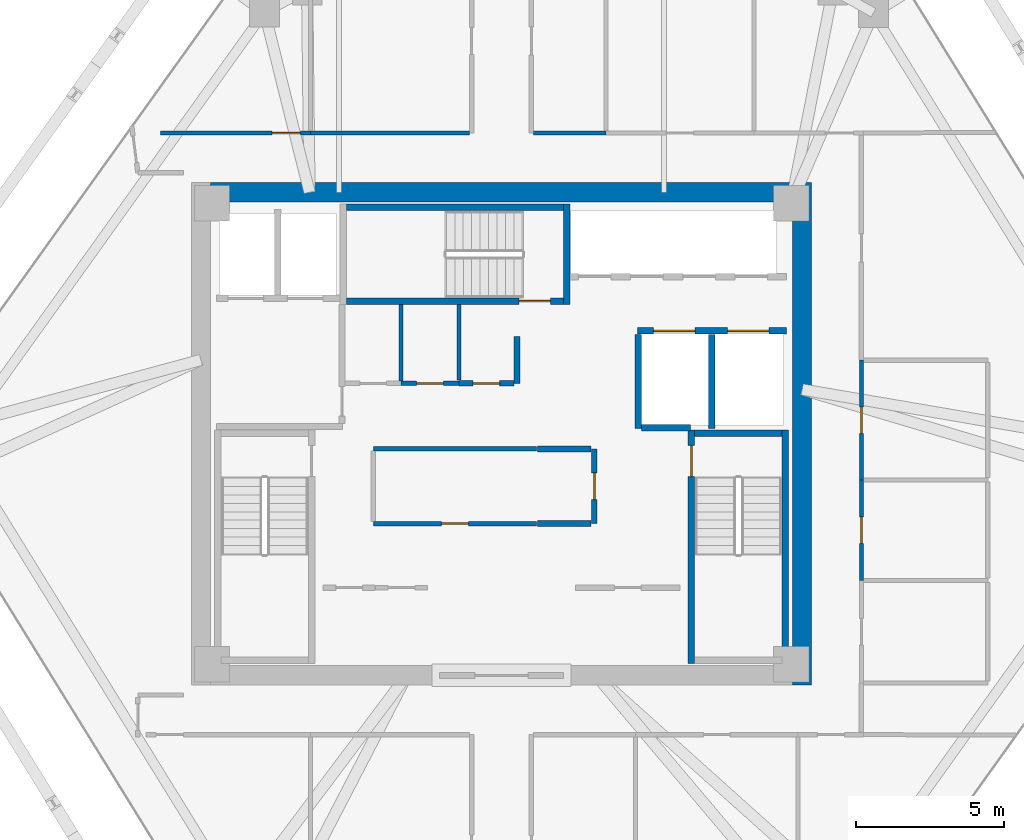
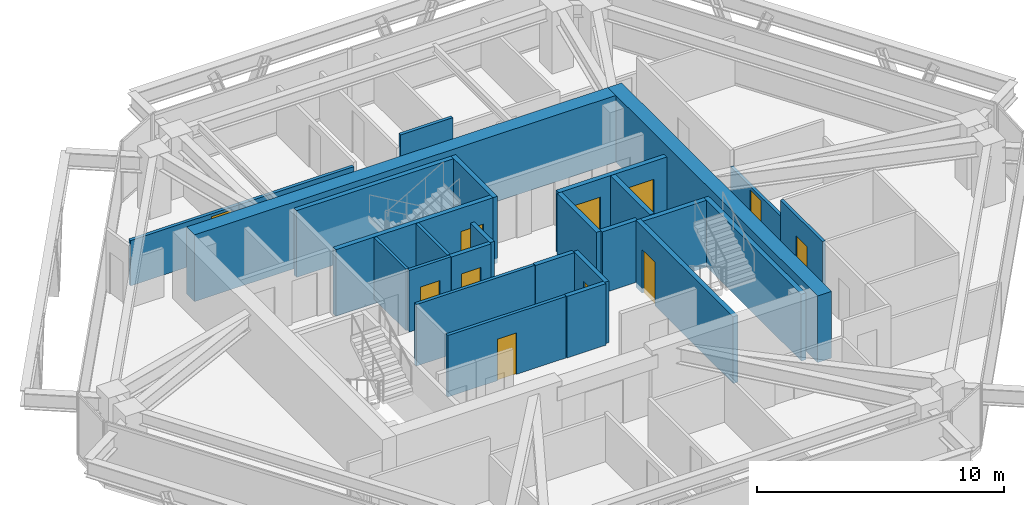
# One storey, part 9 of 11: 27 walls, 11 doors, 11 openings.
"""IFC4 building model written with IfcOpenShell, lengths in metres."""

from ifc_helpers import new_model, si_unit, direction, frame, frame_2d, origin, place, context, subcontext, project, spatial, rectangle, extrude, source, transform, mapped, material, layer, layer_set, type_object, type_shapes, element, fill, save


model = new_model("IFC4")

# Units and contexts
model_context = context("Model", 3, precision=1e-05, world=origin(), true_north=direction((0.0, 1.0)))
body_context = subcontext(model_context, "Body", "Model", "MODEL_VIEW")
ifc_project = project(units=[si_unit("LENGTHUNIT", "METRE"), si_unit("AREAUNIT", "SQUARE_METRE"), si_unit("VOLUMEUNIT", "CUBIC_METRE"), si_unit("PLANEANGLEUNIT", "RADIAN"), si_unit("MASSUNIT", "GRAM", prefix="KILO")], contexts=[model_context])

# Site, building, storey
site_placement = place(None, origin())
site = spatial("IfcSite", under=ifc_project, at=site_placement, CompositionType="ELEMENT")
building_placement = place(site_placement, origin())
building = spatial("IfcBuilding", under=site, at=building_placement, Name="Durnholm Broadcast Tower", CompositionType="ELEMENT")
storey_placement = place(building_placement, frame((0.0, 0.0, 177.10009765625)))
storey = spatial("IfcBuildingStorey", under=building, at=storey_placement, Name="L48", CompositionType="ELEMENT", Elevation=177.10009765625)

# Walls
ifc_material_1 = material(Name="Concrete C70/85", Category="concrete")
ifc_layer_1 = layer(ifc_material_1, 0.64990234375)
ifc_layer_set_1 = layer_set([ifc_layer_1], Name="Concrete C70/85")
wall_type_1 = type_object("IfcWallType", Name="WALL-CW-650", PredefinedType="SHEAR", material=ifc_layer_set_1)
wall_1_placement = place(storey_placement, frame((10.175048828125, -8.5, 0.0), z_axis=(0.0, 0.0, 1.0), x_axis=(0.0, 1.0, 0.0)))
element("IfcWall", 1, at=wall_1_placement, inside=storey, type_object=wall_type_1, Name="L48 central core shear wall CW-EAST", PredefinedType="SHEAR", context=body_context, shape_type="SweptSolid", body=[
    extrude(rectangle(XDim=17.0, YDim=0.64990234375, at=frame_2d((8.5, 0.0))), origin(), (0.0, 0.0, 1.0), 3.2998046875),
])
wall_2_placement = place(storey_placement, frame((-9.85009765625, 8.175048828125, 0.0), z_axis=(0.0, 0.0, 1.0), x_axis=(1.0, 0.0, 0.0)))
element("IfcWall", 2, at=wall_2_placement, inside=storey, type_object=wall_type_1, Name="L48 central core shear wall CW-N", PredefinedType="SHEAR", context=body_context, shape_type="SweptSolid", body=[
    extrude(rectangle(XDim=19.7001953125, YDim=0.64990234375, at=frame_2d((9.85009765625, 0.0))), origin(), (0.0, 0.0, 1.0), 3.2998046875),
])

# Wall, opening, door
ifc_material_2 = material(Name="Fire-Rated Gypsum Shaftwall", Category="concrete")
ifc_layer_2 = layer(ifc_material_2, 0.199951171875)
ifc_layer_set_2 = layer_set([ifc_layer_2], Name="Fire-Rated Gypsum Shaftwall")
wall_type_2 = type_object("IfcWallType", Name="WALL-LOB-200", PredefinedType="SOLIDWALL", material=ifc_layer_set_2)
wall_3_placement = place(storey_placement, frame((3.139892578125, -0.510009765625, 0.0), z_axis=(0.0, 0.0, 1.0), x_axis=(0.0, -1.0, 0.0)))
wall_3 = element("IfcWall", 3, at=wall_3_placement, inside=storey, type_object=wall_type_2, Name="L48 Core IT Telecom Room corridor partition", PredefinedType="SOLIDWALL", context=body_context, shape_type="SweptSolid", body=[
    extrude(rectangle(XDim=2.530029296875, YDim=0.199951171875, at=frame_2d((1.26513671875, 0.0))), origin(), (0.0, 0.0, 1.0), 3.044921875),
])
opening_1_placement = place(wall_3_placement, frame((0.81494140625, 0.0, 0.0)))
opening_1 = element("IfcOpeningElement", 4, at=opening_1_placement, cuts=wall_3, Name="Opening DC-60L", PredefinedType="OPENING", context=body_context, shape_type="SweptSolid", body=[
    extrude(rectangle(XDim=0.89990234375, YDim=2.050048828125, at=frame_2d((0.449951171875, 1.02490234375))), frame((0.0, 0.10986328125, 0.0), z_axis=(0.0, -1.0, 0.0), x_axis=(1.0, 0.0, 0.0)), (0.0, 0.0, 1.0), 0.219970703125),
])
ifc_material_3 = material(Name="Fire-Rated Core Service Door", Category="steel")
ifc_layer_3 = layer(ifc_material_3, 0.050048828125)
ifc_layer_set_3 = layer_set([ifc_layer_3], Name="Fire-Rated Core Service Door")
door_type_1 = type_object("IfcDoorType", Name="DOOR-CORE-FD60-L", OperationType="NOTDEFINED", PredefinedType="DOOR", material=ifc_layer_set_3)
shared_shape_1 = source(origin(), body_context, "Body", "SweptSolid", [
    extrude(rectangle(XDim=0.89990234375, YDim=2.050048828125, at=frame_2d((0.449951171875, 1.02490234375))), frame((0.0, 0.02490234375, 0.0), z_axis=(0.0, -1.0, 0.0), x_axis=(1.0, 0.0, 0.0)), (0.0, 0.0, 1.0), 0.050048828125),
])
type_shapes(door_type_1, [shared_shape_1])
door_1_placement = place(opening_1_placement, origin())
door_1 = element("IfcDoor", 5, at=door_1_placement, inside=storey, type_object=door_type_1, Name="L48 Core IT Telecom Room entrance door", OperationType="SINGLE_SWING_LEFT", OverallHeight=2.050048828125, OverallWidth=0.89990234375, PredefinedType="DOOR", context=body_context, shape_type="MappedRepresentation", body=[
    mapped(shared_shape_1, transform((0.0, 0.0, 0.0), x_axis=(1.0, 0.0, 0.0), y_axis=(0.0, 1.0, 0.0), z_axis=(0.0, 0.0, 1.0), scale=1.0)),
])
fill(opening_1, door_1)

# Walls
for number, where, z_axis, x_axis, name in (
    (6, (3.035888671875, -3.0400390625, 0.0), (0.0, 0.0, 1.0), (-1.0, 0.0, 0.0), "L48 Core IT Telecom Room corridor partition"),
    (7, (1.2099609375, -0.510009765625, 0.0), (0.0, 0.0, 1.0), (1.0, 0.0, 0.0), "L48 Core IT Telecom Room corridor partition"),
):
    element("IfcWall", number, at=place(storey_placement, frame(where, z_axis=z_axis, x_axis=x_axis)), inside=storey, type_object=wall_type_2, Name=name, PredefinedType="SOLIDWALL", context=body_context, shape_type="SweptSolid", body=[
        extrude(rectangle(XDim=1.825927734375, YDim=0.199951171875, at=frame_2d((0.9130859375, 0.0))), origin(), (0.0, 0.0, 1.0), 3.044921875),
    ])
wall_4_placement = place(storey_placement, frame((0.52001953125, 3.300048828125, 0.0), z_axis=(0.0, 0.0, 1.0), x_axis=(0.0, -1.0, 0.0)))
element("IfcWall", 8, at=wall_4_placement, inside=storey, type_object=wall_type_2, Name="L48 Core Telecom Patch Room corridor partition", PredefinedType="SOLIDWALL", context=body_context, shape_type="SweptSolid", body=[
    extrude(rectangle(XDim=1.590087890625, YDim=0.199951171875, at=frame_2d((0.794921875, 0.0))), origin(), (0.0, 0.0, 1.0), 3.044921875),
])

# Wall, opening, door
wall_5_placement = place(storey_placement, frame((0.416015625, 1.7099609375, 0.0), z_axis=(0.0, 0.0, 1.0), x_axis=(-1.0, 0.0, 0.0)))
wall_5 = element("IfcWall", 9, at=wall_5_placement, inside=storey, type_object=wall_type_2, Name="L48 Core Telecom Patch Room corridor partition", PredefinedType="SOLIDWALL", context=body_context, shape_type="SweptSolid", body=[
    extrude(rectangle(XDim=1.85595703125, YDim=0.199951171875, at=frame_2d((0.927978515625, 0.0))), origin(), (0.0, 0.0, 1.0), 3.044921875),
])
opening_2_placement = place(wall_5_placement, frame((0.47802734375, 0.0, 0.0)))
opening_2 = element("IfcOpeningElement", 10, at=opening_2_placement, cuts=wall_5, Name="Opening DC-60R", PredefinedType="OPENING", context=body_context, shape_type="SweptSolid", body=[
    extrude(rectangle(XDim=0.89990234375, YDim=2.050048828125, at=frame_2d((0.449951171875, 1.02490234375))), frame((0.0, 0.10986328125, 0.0), z_axis=(0.0, -1.0, 0.0), x_axis=(1.0, 0.0, 0.0)), (0.0, 0.0, 1.0), 0.219970703125),
])
ifc_layer_4 = layer(ifc_material_3, 0.050048828125)
ifc_layer_set_4 = layer_set([ifc_layer_4], Name="Fire-Rated Core Service Door")
door_type_2 = type_object("IfcDoorType", Name="DOOR-CORE-FD60-R", OperationType="NOTDEFINED", PredefinedType="DOOR", material=ifc_layer_set_4)
shared_shape_2 = source(origin(), body_context, "Body", "SweptSolid", [
    extrude(rectangle(XDim=0.89990234375, YDim=2.050048828125, at=frame_2d((0.449951171875, 1.02490234375))), frame((0.0, 0.02490234375, 0.0), z_axis=(0.0, -1.0, 0.0), x_axis=(1.0, 0.0, 0.0)), (0.0, 0.0, 1.0), 0.050048828125),
])
type_shapes(door_type_2, [shared_shape_2])
door_2_placement = place(opening_2_placement, origin())
door_2 = element("IfcDoor", 11, at=door_2_placement, inside=storey, type_object=door_type_2, Name="L48 Core Telecom Patch Room entrance door", OperationType="SINGLE_SWING_RIGHT", OverallHeight=2.050048828125, OverallWidth=0.89990234375, PredefinedType="DOOR", context=body_context, shape_type="MappedRepresentation", body=[
    mapped(shared_shape_2, transform((0.0, 0.0, 0.0), x_axis=(1.0, 0.0, 0.0), y_axis=(0.0, 1.0, 0.0), z_axis=(0.0, 0.0, 1.0), scale=1.0)),
])
fill(opening_2, door_2)

# Walls
ifc_material_4 = material(Name="Gypsum Metal Stud Partition", Category="concrete")
ifc_layer_5 = layer(ifc_material_4, 0.135009765625)
ifc_layer_set_5 = layer_set([ifc_layer_5], Name="Gypsum Metal Stud Partition")
wall_type_3 = type_object("IfcWallType", Name="WALL-PART-135", PredefinedType="PARTITIONING", material=ifc_layer_set_5)
wall_6_placement = place(storey_placement, frame((-3.39990234375, 4.375, 0.0), z_axis=(0.0, 0.0, 1.0), x_axis=(0.0, -1.0, 0.0)))
element("IfcWall", 12, at=wall_6_placement, inside=storey, type_object=wall_type_3, Name="L48 room dividing partition 6.7", PredefinedType="PARTITIONING", context=body_context, shape_type="SweptSolid", body=[
    extrude(rectangle(XDim=2.5859375, YDim=0.135009765625, at=frame_2d((1.29296875, 0.0))), origin(), (0.0, 0.0, 1.0), 3.044921875),
])
wall_7_placement = place(storey_placement, frame((-1.43994140625, 4.375, 0.0), z_axis=(0.0, 0.0, 1.0), x_axis=(0.0, -1.0, 0.0)))
element("IfcWall", 13, at=wall_7_placement, inside=storey, type_object=wall_type_3, Name="L48 room dividing partition 7.8", PredefinedType="PARTITIONING", context=body_context, shape_type="SweptSolid", body=[
    extrude(rectangle(XDim=2.56103515625, YDim=0.135009765625, at=frame_2d((1.280517578125, 0.0))), origin(), (0.0, 0.0, 1.0), 3.044921875),
])

# Wall, opening, door
ifc_material_5 = material(Name="Acoustic Gypsum Stud Partition", Category="concrete")
ifc_layer_6 = layer(ifc_material_5, 0.14990234375)
ifc_layer_set_6 = layer_set([ifc_layer_6], Name="Acoustic Gypsum Stud Partition")
wall_type_4 = type_object("IfcWallType", Name="WALL-PART-150", PredefinedType="PARTITIONING", material=ifc_layer_set_6)
wall_8_placement = place(storey_placement, frame((1.18994140625, -3.0400390625, 0.0), z_axis=(0.0, 0.0, 1.0), x_axis=(-1.0, 0.0, 0.0)))
wall_8 = element("IfcWall", 14, at=wall_8_placement, inside=storey, type_object=wall_type_4, Name="L48 Broadcast Equipment Store corridor partition", PredefinedType="PARTITIONING", context=body_context, shape_type="SweptSolid", body=[
    extrude(rectangle(XDim=5.530029296875, YDim=0.14990234375, at=frame_2d((2.76513671875, 0.0))), origin(), (0.0, 0.0, 1.0), 3.044921875),
])
opening_3_placement = place(wall_8_placement, frame((2.31494140625, 0.0, 0.0)))
opening_3 = element("IfcOpeningElement", 15, at=opening_3_placement, cuts=wall_8, Name="Opening DC-60R", PredefinedType="OPENING", context=body_context, shape_type="SweptSolid", body=[
    extrude(rectangle(XDim=0.89990234375, YDim=2.050048828125, at=frame_2d((0.449951171875, 1.02490234375))), frame((0.0, 0.0849609375, 0.0), z_axis=(0.0, -1.0, 0.0), x_axis=(1.0, 0.0, 0.0)), (0.0, 0.0, 1.0), 0.169921875),
])
door_3_placement = place(opening_3_placement, origin())
door_3 = element("IfcDoor", 16, at=door_3_placement, inside=storey, type_object=door_type_2, Name="L48 Broadcast Equipment Store entrance door", OperationType="SINGLE_SWING_RIGHT", OverallHeight=2.050048828125, OverallWidth=0.89990234375, PredefinedType="DOOR", context=body_context, shape_type="MappedRepresentation", body=[
    mapped(shared_shape_2, transform((0.0, 0.0, 0.0), x_axis=(1.0, 0.0, 0.0), y_axis=(0.0, 1.0, 0.0), z_axis=(0.0, 0.0, 1.0), scale=1.0)),
])
fill(opening_3, door_3)

# Wall
wall_9_placement = place(storey_placement, frame((-4.340087890625, -0.510009765625, 0.0), z_axis=(0.0, 0.0, 1.0), x_axis=(1.0, 0.0, 0.0)))
element("IfcWall", 17, at=wall_9_placement, inside=storey, type_object=wall_type_4, Name="L48 Broadcast Equipment Store corridor partition", PredefinedType="PARTITIONING", context=body_context, shape_type="SweptSolid", body=[
    extrude(rectangle(XDim=5.530029296875, YDim=0.14990234375, at=frame_2d((2.76513671875, 0.0))), origin(), (0.0, 0.0, 1.0), 3.044921875),
])

# Wall, opening, door
wall_10_placement = place(storey_placement, frame((-1.43994140625, 1.7099609375, 0.0), z_axis=(0.0, 0.0, 1.0), x_axis=(-1.0, 0.0, 0.0)))
wall_10 = element("IfcWall", 18, at=wall_10_placement, inside=storey, type_object=wall_type_4, Name="L48 Core Janitor Supply Closet corridor partition", PredefinedType="PARTITIONING", context=body_context, shape_type="SweptSolid", body=[
    extrude(rectangle(XDim=1.9599609375, YDim=0.14990234375, at=frame_2d((0.97998046875, 0.0))), origin(), (0.0, 0.0, 1.0), 3.044921875),
])
opening_4_placement = place(wall_10_placement, frame((0.530029296875, 0.0, 0.0)))
opening_4 = element("IfcOpeningElement", 19, at=opening_4_placement, cuts=wall_10, Name="Opening DC-60L", PredefinedType="OPENING", context=body_context, shape_type="SweptSolid", body=[
    extrude(rectangle(XDim=0.89990234375, YDim=2.050048828125, at=frame_2d((0.449951171875, 1.02490234375))), frame((0.0, 0.0849609375, 0.0), z_axis=(0.0, -1.0, 0.0), x_axis=(1.0, 0.0, 0.0)), (0.0, 0.0, 1.0), 0.169921875),
])
door_4_placement = place(opening_4_placement, origin())
door_4 = element("IfcDoor", 20, at=door_4_placement, inside=storey, type_object=door_type_1, Name="L48 Core Janitor Supply Closet entrance door", OperationType="SINGLE_SWING_LEFT", OverallHeight=2.050048828125, OverallWidth=0.89990234375, PredefinedType="DOOR", context=body_context, shape_type="MappedRepresentation", body=[
    mapped(shared_shape_1, transform((0.0, 0.0, 0.0), x_axis=(1.0, 0.0, 0.0), y_axis=(0.0, 1.0, 0.0), z_axis=(0.0, 0.0, 1.0), scale=1.0)),
])
fill(opening_4, door_4)

wall_11_placement = place(storey_placement, frame((-6.4599609375, 10.179931640625, 0.0), z_axis=(0.0, 0.0, 1.0), x_axis=(-1.0, 0.0, 0.0)))
wall_11 = element("IfcWall", 21, at=wall_11_placement, inside=storey, type_object=wall_type_4, Name="L48 Documentary Office 1 corridor partition", PredefinedType="PARTITIONING", context=body_context, shape_type="SweptSolid", body=[
    extrude(rectangle(XDim=5.080078125, YDim=0.14990234375, at=frame_2d((2.5400390625, 0.0))), origin(), (0.0, 0.0, 1.0), 2.24169921875),
])
opening_5_placement = place(wall_11_placement, frame((0.35009765625, 0.0, 0.0)))
opening_5 = element("IfcOpeningElement", 22, at=opening_5_placement, cuts=wall_11, Name="Opening DR-95R", PredefinedType="OPENING", context=body_context, shape_type="SweptSolid", body=[
    extrude(rectangle(XDim=0.949951171875, YDim=2.10009765625, at=frame_2d((0.47509765625, 1.050048828125))), frame((0.0, 0.0849609375, 0.0), z_axis=(0.0, -1.0, 0.0), x_axis=(1.0, 0.0, 0.0)), (0.0, 0.0, 1.0), 0.169921875),
])
ifc_material_6 = material(Name="Acoustic Oak Veneer Timber Door", Category="wood")
ifc_layer_7 = layer(ifc_material_6, 0.050048828125)
ifc_layer_set_7 = layer_set([ifc_layer_7], Name="Acoustic Oak Veneer Timber Door")
door_type_3 = type_object("IfcDoorType", Name="DOOR-RM-950R", OperationType="NOTDEFINED", PredefinedType="DOOR", material=ifc_layer_set_7)
shared_shape_3 = source(origin(), body_context, "Body", "SweptSolid", [
    extrude(rectangle(XDim=0.949951171875, YDim=2.10009765625, at=frame_2d((0.47509765625, 1.050048828125))), frame((0.0, 0.02490234375, 0.0), z_axis=(0.0, -1.0, 0.0), x_axis=(1.0, 0.0, 0.0)), (0.0, 0.0, 1.0), 0.050048828125),
])
type_shapes(door_type_3, [shared_shape_3])
door_5_placement = place(opening_5_placement, origin())
door_5 = element("IfcDoor", 23, at=door_5_placement, inside=storey, type_object=door_type_3, Name="L48 Documentary Office 1 entrance door", OperationType="SINGLE_SWING_RIGHT", OverallHeight=2.10009765625, OverallWidth=0.949951171875, PredefinedType="DOOR", context=body_context, shape_type="MappedRepresentation", body=[
    mapped(shared_shape_3, transform((0.0, 0.0, 0.0), x_axis=(1.0, 0.0, 0.0), y_axis=(0.0, 1.0, 0.0), z_axis=(0.0, 0.0, 1.0), scale=1.0)),
])
fill(opening_5, door_5)

# Walls
wall_12_placement = place(storey_placement, frame((-1.089111328125, 10.179931640625, 0.0), z_axis=(0.0, 0.0, 1.0), x_axis=(-1.0, 0.0, 0.0)))
element("IfcWall", 24, at=wall_12_placement, inside=storey, type_object=wall_type_4, Name="L48 Rough-Cut Office 1 corridor partition", PredefinedType="PARTITIONING", context=body_context, shape_type="SweptSolid", body=[
    extrude(rectangle(XDim=5.370849609375, YDim=0.14990234375, at=frame_2d((2.685546875, 0.0))), origin(), (0.0, 0.0, 1.0), 2.24169921875),
])
wall_13_placement = place(storey_placement, frame((3.5400390625, 10.179931640625, 0.0), z_axis=(0.0, 0.0, 1.0), x_axis=(-1.0, 0.0, 0.0)))
element("IfcWall", 25, at=wall_13_placement, inside=storey, type_object=wall_type_4, Name="L48 Rough-Cut Office 2 corridor partition", PredefinedType="PARTITIONING", context=body_context, shape_type="SweptSolid", body=[
    extrude(rectangle(XDim=2.450927734375, YDim=0.14990234375, at=frame_2d((1.2255859375, 0.0))), origin(), (0.0, 0.0, 1.0), 3.044921875),
])

# Wall, openings, doors
ifc_material_7 = material(Name="Concrete Blockwork C30/37", Category="masonry")
ifc_layer_8 = layer(ifc_material_7, 0.219970703125)
ifc_layer_set_8 = layer_set([ifc_layer_8], Name="Concrete Blockwork C30/37")
wall_type_5 = type_object("IfcWallType", Name="WALL-SHAFT-220", PredefinedType="SOLIDWALL", material=ifc_layer_set_8)
wall_14_placement = place(storey_placement, frame((4.60009765625, 3.47998046875, 0.0), z_axis=(0.0, 0.0, 1.0), x_axis=(1.0, 0.0, 0.0)))
wall_14 = element("IfcWall", 26, at=wall_14_placement, inside=storey, type_object=wall_type_5, Name="L48 freight service lifts north front wall", PredefinedType="SOLIDWALL", context=body_context, shape_type="SweptSolid", body=[
    extrude(rectangle(XDim=5.0498046875, YDim=0.219970703125, at=frame_2d((2.52490234375, 0.0))), origin(), (0.0, 0.0, 1.0), 3.044921875),
])
opening_6_placement = place(wall_14_placement, frame((0.550048828125, 0.0, 0.0)))
opening_6 = element("IfcOpeningElement", 27, at=opening_6_placement, cuts=wall_14, Name="Opening LD-SVL-2", PredefinedType="OPENING", context=body_context, shape_type="SweptSolid", body=[
    extrude(rectangle(XDim=1.39990234375, YDim=2.14990234375, at=frame_2d((0.699951171875, 1.074951171875))), frame((0.0, 0.1201171875, 0.0), z_axis=(0.0, -1.0, 0.0), x_axis=(1.0, 0.0, 0.0)), (0.0, 0.0, 1.0), 0.239990234375),
])
opening_7_placement = place(wall_14_placement, frame((3.050048828125, 0.0, 0.0)))
opening_7 = element("IfcOpeningElement", 28, at=opening_7_placement, cuts=wall_14, Name="Opening LD-SVL-1", PredefinedType="OPENING", context=body_context, shape_type="SweptSolid", body=[
    extrude(rectangle(XDim=1.39990234375, YDim=2.14990234375, at=frame_2d((0.699951171875, 1.074951171875))), frame((0.0, 0.1201171875, 0.0), z_axis=(0.0, -1.0, 0.0), x_axis=(1.0, 0.0, 0.0)), (0.0, 0.0, 1.0), 0.239990234375),
])
ifc_material_8 = material(Name="Freight Elevator Bi-Parting Sliding Landing Door", Category="steel")
ifc_layer_9 = layer(ifc_material_8, 0.050048828125)
ifc_layer_set_9 = layer_set([ifc_layer_9], Name="Freight Elevator Bi-Parting Sliding Landing Door")
door_type_4 = type_object("IfcDoorType", Name="DOOR-LIFT-SVL", OperationType="DOUBLE_DOOR_SLIDING", PredefinedType="DOOR", material=ifc_layer_set_9)
shared_shape_4 = source(origin(), body_context, "Body", "SweptSolid", [
    extrude(rectangle(XDim=1.39990234375, YDim=2.14990234375, at=frame_2d((0.699951171875, 1.074951171875))), frame((0.0, 0.02490234375, 0.0), z_axis=(0.0, -1.0, 0.0), x_axis=(1.0, 0.0, 0.0)), (0.0, 0.0, 1.0), 0.050048828125),
])
type_shapes(door_type_4, [shared_shape_4])
door_6_placement = place(opening_6_placement, origin())
door_6 = element("IfcDoor", 29, at=door_6_placement, inside=storey, type_object=door_type_4, Name="L48 freight service elevator SVL-2 sliding landing door", OperationType="DOUBLE_DOOR_SLIDING", OverallHeight=2.14990234375, OverallWidth=1.39990234375, PredefinedType="DOOR", context=body_context, shape_type="MappedRepresentation", body=[
    mapped(shared_shape_4, transform((0.0, 0.0, 0.0), x_axis=(1.0, 0.0, 0.0), y_axis=(0.0, 1.0, 0.0), z_axis=(0.0, 0.0, 1.0), scale=1.0)),
])
fill(opening_6, door_6)
door_7_placement = place(opening_7_placement, origin())
door_7 = element("IfcDoor", 30, at=door_7_placement, inside=storey, type_object=door_type_4, Name="L48 freight service elevator SVL-1 sliding landing door", OperationType="DOUBLE_DOOR_SLIDING", OverallHeight=2.14990234375, OverallWidth=1.39990234375, PredefinedType="DOOR", context=body_context, shape_type="MappedRepresentation", body=[
    mapped(shared_shape_4, transform((0.0, 0.0, 0.0), x_axis=(1.0, 0.0, 0.0), y_axis=(0.0, 1.0, 0.0), z_axis=(0.0, 0.0, 1.0), scale=1.0)),
])
fill(opening_7, door_7)

# Walls
for number, where, z_axis, x_axis, name in (
    (31, (4.6201171875, 0.179931640625, 0.0), (0.0, 0.0, 1.0), (0.0, 1.0, 0.0), "L48 freight service lift SVL-2 west wall"),
    (32, (7.1201171875, 0.179931640625, 0.0), (0.0, 0.0, 1.0), (0.0, 1.0, 0.0), "L48 freight service lifts divider wall"),
):
    element("IfcWall", number, at=place(storey_placement, frame(where, z_axis=z_axis, x_axis=x_axis)), inside=storey, type_object=wall_type_5, Name=name, PredefinedType="SOLIDWALL", context=body_context, shape_type="SweptSolid", body=[
        extrude(rectangle(XDim=3.18603515625, YDim=0.219970703125, at=frame_2d((1.593017578125, 0.0))), origin(), (0.0, 0.0, 1.0), 3.044921875),
    ])
wall_15_placement = place(storey_placement, frame((4.73388671875, 0.199951171875, 0.0), z_axis=(0.0, 0.0, 1.0), x_axis=(1.0, 0.0, 0.0)))
element("IfcWall", 33, at=wall_15_placement, inside=storey, type_object=wall_type_5, Name="L48 freight service lift SVL-2 south wall", PredefinedType="SOLIDWALL", context=body_context, shape_type="SweptSolid", body=[
    extrude(rectangle(XDim=1.666015625, YDim=0.219970703125, at=frame_2d((0.8330078125, 0.0))), origin(), (0.0, 0.0, 1.0), 3.044921875),
])
ifc_material_9 = material(Name="Concrete C50/60", Category="concrete")
ifc_layer_10 = layer(ifc_material_9, 0.219970703125)
ifc_layer_set_10 = layer_set([ifc_layer_10], Name="Concrete C50/60")
wall_type_6 = type_object("IfcWallType", Name="WALL-SW-220", PredefinedType="SHEAR", material=ifc_layer_set_10)
wall_16_placement = place(storey_placement, frame((9.610107421875, -7.77001953125, -0.239990234375), z_axis=(0.0, 0.0, 1.0), x_axis=(0.0, 1.0, 0.0)))
element("IfcWall", 34, at=wall_16_placement, inside=storey, type_object=wall_type_6, Name="L48 stair ST-2 structural shaft wall E", PredefinedType="SHEAR", context=body_context, shape_type="SweptSolid", body=[
    extrude(rectangle(XDim=7.89013671875, YDim=0.219970703125, at=frame_2d((3.945068359375, 0.0))), origin(), (0.0, 0.0, 1.0), 3.2998046875),
])

# Wall, opening, door
wall_17_placement = place(storey_placement, frame((6.429931640625, 0.1201171875, -0.239990234375), z_axis=(0.0, 0.0, 1.0), x_axis=(0.0, -1.0, 0.0)))
wall_17 = element("IfcWall", 35, at=wall_17_placement, inside=storey, type_object=wall_type_6, Name="L48 stair ST-2 structural shaft wall W", PredefinedType="SHEAR", context=body_context, shape_type="SweptSolid", body=[
    extrude(rectangle(XDim=7.89013671875, YDim=0.219970703125, at=frame_2d((3.945068359375, 0.0))), origin(), (0.0, 0.0, 1.0), 3.2998046875),
])
opening_8_placement = place(wall_17_placement, frame((0.52001953125, 0.0, 0.0)))
opening_8 = element("IfcOpeningElement", 36, at=opening_8_placement, cuts=wall_17, Name="Opening DS-90R", PredefinedType="OPENING", context=body_context, shape_type="SweptSolid", body=[
    extrude(rectangle(XDim=1.050048828125, YDim=2.14990234375, at=frame_2d((0.52490234375, 1.074951171875))), frame((0.0, 0.1201171875, 0.0), z_axis=(0.0, -1.0, 0.0), x_axis=(1.0, 0.0, 0.0)), (0.0, 0.0, 1.0), 0.239990234375),
])
ifc_material_10 = material(Name="Fire-Rated Steel Door", Category="steel")
ifc_layer_11 = layer(ifc_material_10, 0.050048828125)
ifc_layer_set_11 = layer_set([ifc_layer_11], Name="Fire-Rated Steel Door")
door_type_5 = type_object("IfcDoorType", Name="DOOR-ST-FD90-R", OperationType="NOTDEFINED", PredefinedType="DOOR", material=ifc_layer_set_11)
shared_shape_5 = source(origin(), body_context, "Body", "SweptSolid", [
    extrude(rectangle(XDim=1.050048828125, YDim=2.14990234375, at=frame_2d((0.52490234375, 1.074951171875))), frame((0.0, 0.02490234375, 0.0), z_axis=(0.0, -1.0, 0.0), x_axis=(1.0, 0.0, 0.0)), (0.0, 0.0, 1.0), 0.050048828125),
])
type_shapes(door_type_5, [shared_shape_5])
door_8_placement = place(opening_8_placement, origin())
door_8 = element("IfcDoor", 37, at=door_8_placement, inside=storey, type_object=door_type_5, Name="L48 exit stair ST-2 fire door", OperationType="SINGLE_SWING_RIGHT", OverallHeight=2.14990234375, OverallWidth=1.050048828125, PredefinedType="DOOR", context=body_context, shape_type="MappedRepresentation", body=[
    mapped(shared_shape_5, transform((0.0, 0.0, 0.0), x_axis=(1.0, 0.0, 0.0), y_axis=(0.0, 1.0, 0.0), z_axis=(0.0, 0.0, 1.0), scale=1.0)),
])
fill(opening_8, door_8)

# Walls
wall_18_placement = place(storey_placement, frame((9.5, 0.010009765625, -0.239990234375), z_axis=(0.0, 0.0, 1.0), x_axis=(-1.0, 0.0, 0.0)))
element("IfcWall", 38, at=wall_18_placement, inside=storey, type_object=wall_type_6, Name="L48 stair ST-2 structural shaft wall N", PredefinedType="SHEAR", context=body_context, shape_type="SweptSolid", body=[
    extrude(rectangle(XDim=2.9599609375, YDim=0.219970703125, at=frame_2d((1.47998046875, 0.0))), origin(), (0.0, 0.0, 1.0), 3.2998046875),
])
wall_19_placement = place(storey_placement, frame((2.2099609375, 4.3798828125, -0.239990234375), z_axis=(0.0, 0.0, 1.0), x_axis=(0.0, 1.0, 0.0)))
element("IfcWall", 39, at=wall_19_placement, inside=storey, type_object=wall_type_6, Name="L48 stair ST-3 structural shaft wall E", PredefinedType="SHEAR", context=body_context, shape_type="SweptSolid", body=[
    extrude(rectangle(XDim=3.400146484375, YDim=0.219970703125, at=frame_2d((1.7001953125, 0.0))), origin(), (0.0, 0.0, 1.0), 3.2998046875),
])

# Wall, opening, door
wall_20_placement = place(storey_placement, frame((-5.25, 4.489990234375, -0.239990234375), z_axis=(0.0, 0.0, 1.0), x_axis=(1.0, 0.0, 0.0)))
wall_20 = element("IfcWall", 40, at=wall_20_placement, inside=storey, type_object=wall_type_6, Name="L48 stair ST-3 structural shaft wall S", PredefinedType="SHEAR", context=body_context, shape_type="SweptSolid", body=[
    extrude(rectangle(XDim=7.35009765625, YDim=0.219970703125, at=frame_2d((3.675048828125, 0.0))), origin(), (0.0, 0.0, 1.0), 3.2998046875),
])
opening_9_placement = place(wall_20_placement, frame((5.85009765625, 0.0, 0.0)))
opening_9 = element("IfcOpeningElement", 41, at=opening_9_placement, cuts=wall_20, Name="Opening DS-90L", PredefinedType="OPENING", context=body_context, shape_type="SweptSolid", body=[
    extrude(rectangle(XDim=1.050048828125, YDim=2.14990234375, at=frame_2d((0.52490234375, 1.074951171875))), frame((0.0, 0.1201171875, 0.0), z_axis=(0.0, -1.0, 0.0), x_axis=(1.0, 0.0, 0.0)), (0.0, 0.0, 1.0), 0.239990234375),
])
ifc_layer_12 = layer(ifc_material_10, 0.050048828125)
ifc_layer_set_12 = layer_set([ifc_layer_12], Name="Fire-Rated Steel Door")
door_type_6 = type_object("IfcDoorType", Name="DOOR-ST-FD90-L", OperationType="NOTDEFINED", PredefinedType="DOOR", material=ifc_layer_set_12)
shared_shape_6 = source(origin(), body_context, "Body", "SweptSolid", [
    extrude(rectangle(XDim=1.050048828125, YDim=2.14990234375, at=frame_2d((0.52490234375, 1.074951171875))), frame((0.0, 0.02490234375, 0.0), z_axis=(0.0, -1.0, 0.0), x_axis=(1.0, 0.0, 0.0)), (0.0, 0.0, 1.0), 0.050048828125),
])
type_shapes(door_type_6, [shared_shape_6])
door_9_placement = place(opening_9_placement, origin())
door_9 = element("IfcDoor", 42, at=door_9_placement, inside=storey, type_object=door_type_6, Name="L48 exit stair ST-3 fire door", OperationType="SINGLE_SWING_LEFT", OverallHeight=2.14990234375, OverallWidth=1.050048828125, PredefinedType="DOOR", context=body_context, shape_type="MappedRepresentation", body=[
    mapped(shared_shape_6, transform((0.0, 0.0, 0.0), x_axis=(1.0, 0.0, 0.0), y_axis=(0.0, 1.0, 0.0), z_axis=(0.0, 0.0, 1.0), scale=1.0)),
])
fill(opening_9, door_9)

# Wall
wall_21_placement = place(storey_placement, frame((2.10009765625, 7.669921875, -0.239990234375), z_axis=(0.0, 0.0, 1.0), x_axis=(-1.0, 0.0, 0.0)))
element("IfcWall", 43, at=wall_21_placement, inside=storey, type_object=wall_type_6, Name="L48 stair ST-3 structural shaft wall N", PredefinedType="SHEAR", context=body_context, shape_type="SweptSolid", body=[
    extrude(rectangle(XDim=7.35009765625, YDim=0.219970703125, at=frame_2d((3.675048828125, 0.0))), origin(), (0.0, 0.0, 1.0), 3.2998046875),
])

# Wall, opening, door
ifc_material_11 = material(Name="Moisture-Resistant Tile Partition", Category="concrete")
ifc_layer_13 = layer(ifc_material_11, 0.139892578125)
ifc_layer_set_13 = layer_set([ifc_layer_13], Name="Moisture-Resistant Tile Partition")
wall_type_7 = type_object("IfcWallType", Name="WALL-WC-140", PredefinedType="PARTITIONING", material=ifc_layer_set_13)
wall_22_placement = place(storey_placement, frame((12.179931640625, -4.9599609375, 0.0), z_axis=(0.0, 0.0, 1.0), x_axis=(0.0, 1.0, 0.0)))
wall_22 = element("IfcWall", 44, at=wall_22_placement, inside=storey, type_object=wall_type_7, Name="L48 Women's Restroom corridor partition", PredefinedType="PARTITIONING", context=body_context, shape_type="SweptSolid", body=[
    extrude(rectangle(XDim=3.39990234375, YDim=0.139892578125, at=frame_2d((1.699951171875, 0.0))), origin(), (0.0, 0.0, 1.0), 3.044921875),
])
opening_10_placement = place(wall_22_placement, frame((1.25, 0.0, 0.0)))
opening_10 = element("IfcOpeningElement", 45, at=opening_10_placement, cuts=wall_22, Name="Opening DW-90R", PredefinedType="OPENING", context=body_context, shape_type="SweptSolid", body=[
    extrude(rectangle(XDim=0.89990234375, YDim=2.050048828125, at=frame_2d((0.449951171875, 1.02490234375))), frame((0.0, 0.080078125, 0.0), z_axis=(0.0, -1.0, 0.0), x_axis=(1.0, 0.0, 0.0)), (0.0, 0.0, 1.0), 0.159912109375),
])
ifc_material_12 = material(Name="Laminate Restroom Door", Category="steel")
ifc_layer_14 = layer(ifc_material_12, 0.050048828125)
ifc_layer_set_14 = layer_set([ifc_layer_14], Name="Laminate Restroom Door")
door_type_7 = type_object("IfcDoorType", Name="DOOR-WC-900R", OperationType="NOTDEFINED", PredefinedType="DOOR", material=ifc_layer_set_14)
shared_shape_7 = source(origin(), body_context, "Body", "SweptSolid", [
    extrude(rectangle(XDim=0.89990234375, YDim=2.050048828125, at=frame_2d((0.449951171875, 1.02490234375))), frame((0.0, 0.02490234375, 0.0), z_axis=(0.0, -1.0, 0.0), x_axis=(1.0, 0.0, 0.0)), (0.0, 0.0, 1.0), 0.050048828125),
])
type_shapes(door_type_7, [shared_shape_7])
door_10_placement = place(opening_10_placement, origin())
door_10 = element("IfcDoor", 46, at=door_10_placement, inside=storey, type_object=door_type_7, Name="L48 Women's Restroom entrance door", OperationType="SINGLE_SWING_RIGHT", OverallHeight=2.050048828125, OverallWidth=0.89990234375, PredefinedType="DOOR", context=body_context, shape_type="MappedRepresentation", body=[
    mapped(shared_shape_7, transform((0.0, 0.0, 0.0), x_axis=(1.0, 0.0, 0.0), y_axis=(0.0, 1.0, 0.0), z_axis=(0.0, 0.0, 1.0), scale=1.0)),
])
fill(opening_10, door_10)

wall_23_placement = place(storey_placement, frame((12.179931640625, -1.56005859375, 0.0), z_axis=(0.0, 0.0, 1.0), x_axis=(0.0, 1.0, 0.0)))
wall_23 = element("IfcWall", 47, at=wall_23_placement, inside=storey, type_object=wall_type_7, Name="L48 Accessible Restroom corridor partition", PredefinedType="PARTITIONING", context=body_context, shape_type="SweptSolid", body=[
    extrude(rectangle(XDim=4.050048828125, YDim=0.139892578125, at=frame_2d((2.02490234375, 0.0))), origin(), (0.0, 0.0, 1.0), 2.24169921875),
])
opening_11_placement = place(wall_23_placement, frame((1.574951171875, 0.0, 0.0)))
opening_11 = element("IfcOpeningElement", 48, at=opening_11_placement, cuts=wall_23, Name="Opening DW-90L", PredefinedType="OPENING", context=body_context, shape_type="SweptSolid", body=[
    extrude(rectangle(XDim=0.89990234375, YDim=2.050048828125, at=frame_2d((0.449951171875, 1.02490234375))), frame((0.0, 0.080078125, 0.0), z_axis=(0.0, -1.0, 0.0), x_axis=(1.0, 0.0, 0.0)), (0.0, 0.0, 1.0), 0.159912109375),
])
ifc_layer_15 = layer(ifc_material_12, 0.050048828125)
ifc_layer_set_15 = layer_set([ifc_layer_15], Name="Laminate Restroom Door")
door_type_8 = type_object("IfcDoorType", Name="DOOR-WC-900L", OperationType="NOTDEFINED", PredefinedType="DOOR", material=ifc_layer_set_15)
shared_shape_8 = source(origin(), body_context, "Body", "SweptSolid", [
    extrude(rectangle(XDim=0.89990234375, YDim=2.050048828125, at=frame_2d((0.449951171875, 1.02490234375))), frame((0.0, 0.02490234375, 0.0), z_axis=(0.0, -1.0, 0.0), x_axis=(1.0, 0.0, 0.0)), (0.0, 0.0, 1.0), 0.050048828125),
])
type_shapes(door_type_8, [shared_shape_8])
door_11_placement = place(opening_11_placement, origin())
door_11 = element("IfcDoor", 49, at=door_11_placement, inside=storey, type_object=door_type_8, Name="L48 Accessible Restroom entrance door", OperationType="SINGLE_SWING_LEFT", OverallHeight=2.050048828125, OverallWidth=0.89990234375, PredefinedType="DOOR", context=body_context, shape_type="MappedRepresentation", body=[
    mapped(shared_shape_8, transform((0.0, 0.0, 0.0), x_axis=(1.0, 0.0, 0.0), y_axis=(0.0, 1.0, 0.0), z_axis=(0.0, 0.0, 1.0), scale=1.0)),
])
fill(opening_11, door_11)

save(model, "model.ifc")
